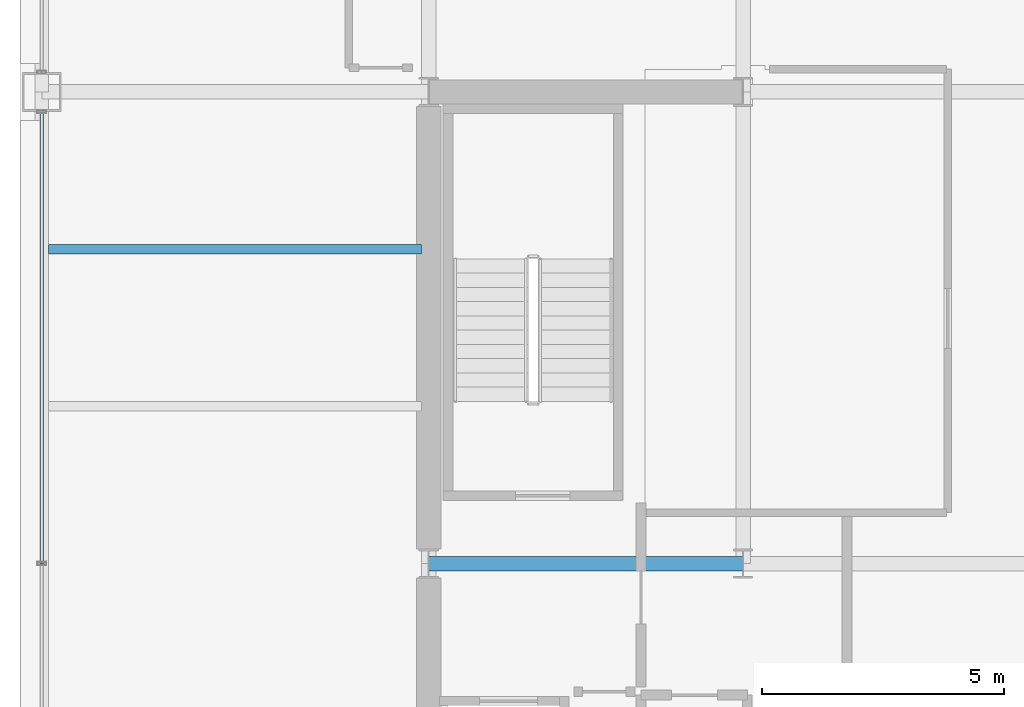
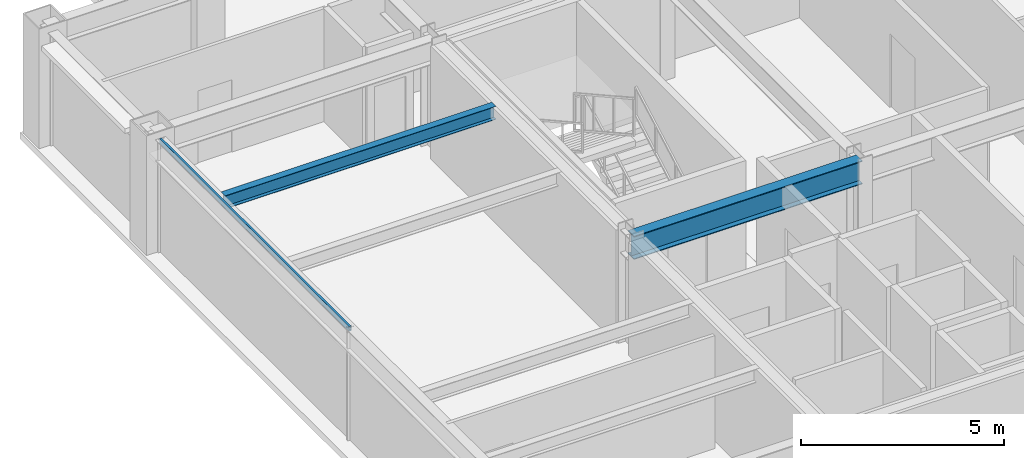
# One storey, part 9 of 29: 2 beams, 1 member, 1 element without a shape of its own.
"""IFC4 building model written with IfcOpenShell, lengths in metres."""

from ifc_helpers import new_model, si_unit, direction, frame, origin, origin_2d, place, context, subcontext, project, spatial, hollow_rectangle, i_section, extrude, material, layer, layer_set, material_profile, profile_set, type_object, element, aggregate, save


model = new_model("IFC4")

# Units and contexts
model_context = context("Model", 3, precision=1e-05, world=origin(), true_north=direction((0.0, 1.0)))
body_context = subcontext(model_context, "Body", "Model", "MODEL_VIEW")
ifc_project = project(units=[si_unit("LENGTHUNIT", "METRE"), si_unit("AREAUNIT", "SQUARE_METRE"), si_unit("VOLUMEUNIT", "CUBIC_METRE"), si_unit("PLANEANGLEUNIT", "RADIAN"), si_unit("MASSUNIT", "GRAM", prefix="KILO")], contexts=[model_context])

# Site, building, storey
site_placement = place(None, origin())
site = spatial("IfcSite", under=ifc_project, at=site_placement, CompositionType="ELEMENT")
building_placement = place(site_placement, origin())
building = spatial("IfcBuilding", under=site, at=building_placement, Name="Brelmoor Portico Tower", CompositionType="ELEMENT")
storey_placement = place(building_placement, frame((0.0, 0.0, 127.800048828125)))
storey = spatial("IfcBuildingStorey", under=building, at=storey_placement, Name="L33", CompositionType="ELEMENT", Elevation=127.800048828125)

# Beams
ifc_material_1 = material(Name="Steel Q355B", Category="steel")
ifc_material_profile_1 = material_profile(ifc_material_1, i_section(OverallWidth=0.199951171875, OverallDepth=0.39990234375, WebThickness=0.008056640625, FlangeThickness=0.012939453125, at=origin_2d()), Name="HN 400x200x8x13")
ifc_profile_set_1 = profile_set([ifc_material_profile_1], Name="Steel Q355B")
beam_type_1 = type_object("IfcBeamType", Name="BM-JS-400", PredefinedType="JOIST", material=ifc_profile_set_1)
beam_1_placement = place(storey_placement, frame((-22.409912109375, 6.5, 3.199951171875), z_axis=(1.0, 0.0, 0.0), x_axis=(0.0, 1.0, 0.0)))
element("IfcBeam", 1, at=beam_1_placement, inside=storey, type_object=beam_type_1, Name="L33 Secondary Wing Joist JS-W08", PredefinedType="JOIST", context=body_context, shape_type="SweptSolid", body=[
    extrude(i_section(OverallWidth=0.199951171875, OverallDepth=0.39990234375, WebThickness=0.008056640625, FlangeThickness=0.012939453125, at=origin_2d()), origin(), (0.0, 0.0, 1.0), 7.7099609375),
])
ifc_material_profile_2 = material_profile(ifc_material_1, i_section(OverallWidth=0.300048828125, OverallDepth=0.699951171875, WebThickness=0.012939453125, FlangeThickness=0.02392578125, at=origin_2d()), Name="HN 700x300x13x24")
ifc_profile_set_2 = profile_set([ifc_material_profile_2], Name="Steel Q355B")
beam_type_2 = type_object("IfcBeamType", Name="BM-PG-700", PredefinedType="BEAM", material=ifc_profile_set_2)
beam_2_placement = place(storey_placement, frame((-14.550048828125, 0.0, 3.050048828125), z_axis=(1.0, 0.0, 0.0), x_axis=(0.0, 1.0, 0.0)))
element("IfcBeam", 2, at=beam_2_placement, inside=storey, type_object=beam_type_2, Name="L33 Primary Floor Girder PG-19", PredefinedType="BEAM", context=body_context, shape_type="SweptSolid", body=[
    extrude(i_section(OverallWidth=0.300048828125, OverallDepth=0.699951171875, WebThickness=0.012939453125, FlangeThickness=0.02392578125, at=origin_2d()), origin(), (0.0, 0.0, 1.0), 6.5),
])

# Curtain wall, member
ifc_material_2 = material(Name="Anodised Aluminium Alloy 6063-T6", Category="aluminium")
ifc_layer = layer(ifc_material_2, 0.179931640625)
ifc_layer_set = layer_set([ifc_layer], Name="Anodised Aluminium Alloy 6063-T6")
curtain_wall_type = type_object("IfcCurtainWallType", Name="CW-TOWER-Z2-XB", PredefinedType="NOTDEFINED", material=ifc_layer_set)
curtain_wall_placement = place(storey_placement, origin())
curtain_wall = element("IfcCurtainWall", 3, at=curtain_wall_placement, inside=storey, type_object=curtain_wall_type, Name="L33 Curtain Wall CW-L33-03-2", PredefinedType="NOTDEFINED")
ifc_material_profile_3 = material_profile(ifc_material_2, hollow_rectangle(XDim=0.06494140625, YDim=0.139892578125, WallThickness=0.00390625, at=origin_2d()), Name="ALU TRANSOM 65x140")
ifc_profile_set_3 = profile_set([ifc_material_profile_3], Name="Anodised Aluminium Alloy 6063-T6")
member_type = type_object("IfcMemberType", Name="MB-CW-TRAN-140", PredefinedType="USERDEFINED", material=ifc_profile_set_3)
member_placement = place(storey_placement, frame((-22.550048828125, 0.0, 3.329833984375), z_axis=(0.0, 1.0, 0.0), x_axis=(-1.0, 0.0, 0.0)))
member = element("IfcMember", 4, at=member_placement, type_object=member_type, Name="CW-L33-03-2 Transom 1-01", ObjectType="TRANSOM", PredefinedType="USERDEFINED", context=body_context, shape_type="SweptSolid", body=[
    extrude(hollow_rectangle(XDim=0.06494140625, YDim=0.139892578125, WallThickness=0.00390625, at=origin_2d()), origin(), (0.0, 0.0, 1.0), 9.340087890625),
])
aggregate(curtain_wall, [member])

save(model, "model.ifc")
